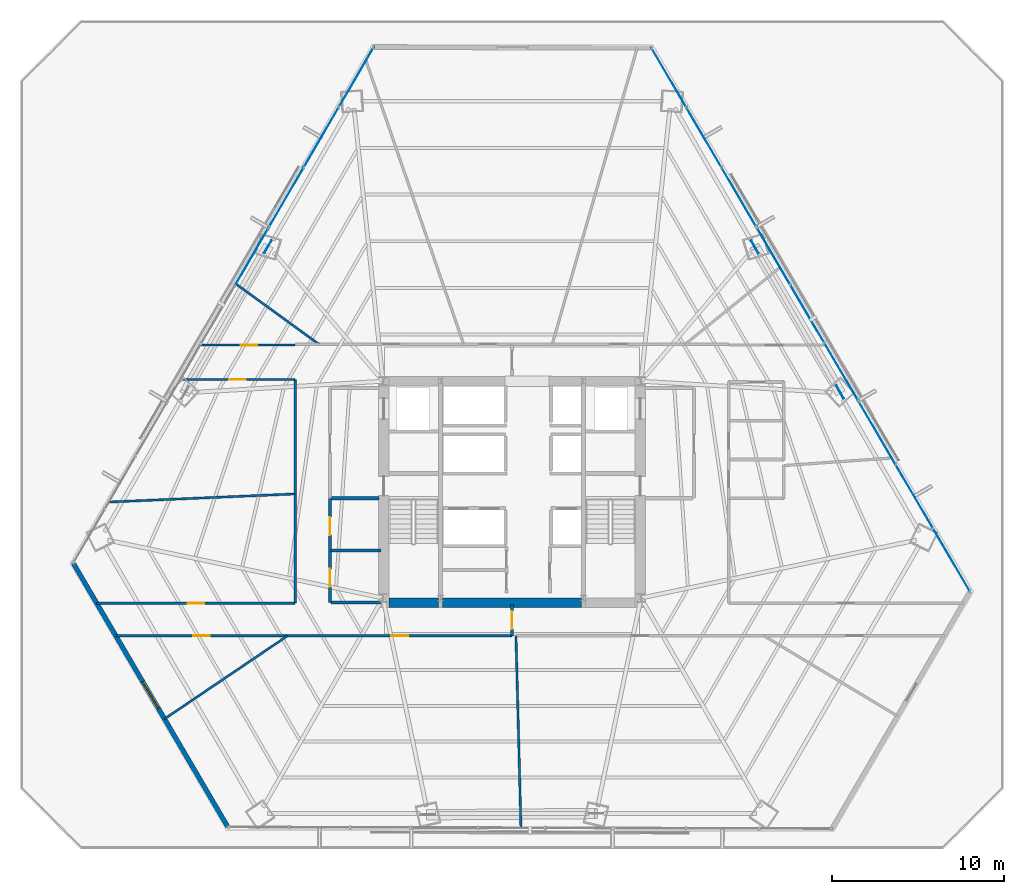
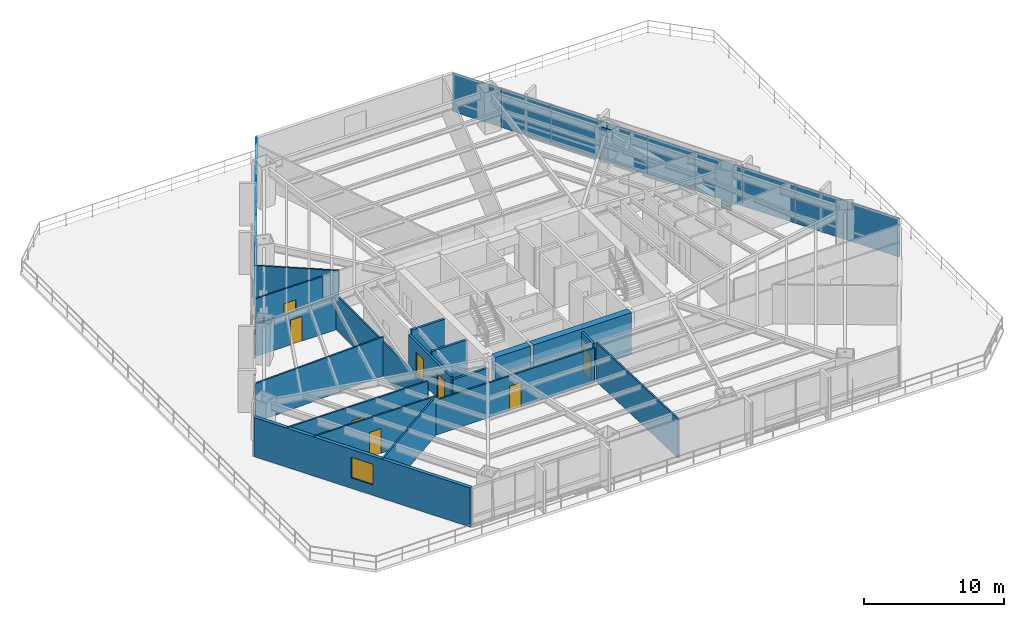
# One storey, part 28 of 35: 19 walls, 16 plates, 8 doors, 1 window, 9 openings, 5 elements without a shape of their own.
"""IFC4 building model written with IfcOpenShell, lengths in metres."""

from ifc_helpers import new_model, si_unit, direction, frame, frame_2d, origin, origin_2d, place, context, subcontext, project, spatial, rectangle, extrude, source, transform, mapped, material, layer, layer_set, type_object, type_shapes, element, fill, aggregate, save


model = new_model("IFC4")

# Units and contexts
model_context = context("Model", 3, precision=1e-05, world=origin(), true_north=direction((0.0, 1.0)))
body_context = subcontext(model_context, "Body", "Model", "MODEL_VIEW")
ifc_project = project(units=[si_unit("LENGTHUNIT", "METRE"), si_unit("AREAUNIT", "SQUARE_METRE"), si_unit("VOLUMEUNIT", "CUBIC_METRE"), si_unit("PLANEANGLEUNIT", "RADIAN"), si_unit("MASSUNIT", "GRAM", prefix="KILO")], contexts=[model_context])

# Site, building, storey
site_placement = place(None, origin())
site = spatial("IfcSite", under=ifc_project, at=site_placement, CompositionType="ELEMENT")
building_placement = place(site_placement, origin())
building = spatial("IfcBuilding", under=site, at=building_placement, Name="Caelisora Broadcast Tower", CompositionType="ELEMENT")
storey_placement = place(building_placement, frame((0.0, 0.0, 27.60009765625)))
storey = spatial("IfcBuildingStorey", under=building, at=storey_placement, Name="L06", CompositionType="ELEMENT", Elevation=27.60009765625)

# Plates
ifc_material_1 = material(Name="Steel Grade 350 L15 (AS/NZS 3678)", Category="steel")
ifc_layer_1 = layer(ifc_material_1, 0.050048828125, Name="Steel Grade 350 L15 (AS/NZS 3678)")
ifc_layer_set_1 = layer_set([ifc_layer_1], Name="Steel Grade 350 L15 (AS/NZS 3678)")
plate_type_1 = type_object("IfcPlateType", Name="GP03", PredefinedType="USERDEFINED", material=ifc_layer_set_1)
shared_shape_1 = source(origin(), body_context, "Body", "SweptSolid", [
    extrude(rectangle(XDim=0.85009765625, YDim=0.050048828125, at=origin_2d()), origin(), (0.0, 0.0, 1.0), 0.699951171875),
])
type_shapes(plate_type_1, [shared_shape_1])
for number, where, z_axis, x_axis, name in (
    (1, (23.81103515625, 37.823974609375, -0.22998046875), (0.0, 0.0, 1.0), (-0.5, -0.866025403784, 0.0), "L06 gusset plate GP03 (ND-L06-C02B)"),
    (2, (57.06640625, 29.3759765625, -0.22998046875), (0.0, 0.0, 1.0), (-0.5, 0.866025403784, 0.0), "L06 gusset plate GP03 (ND-L06-C10B)"),
    (3, (52.1181640625, 37.802001953125, 2.72998046875), (0.0, 0.0, 1.0), (-0.5, 0.866025403784, 0.0), "L06 gusset plate GP03 (ND-L06-C11T)"),
):
    element("IfcPlate", number, at=place(storey_placement, frame(where, z_axis=z_axis, x_axis=x_axis)), inside=storey, type_object=plate_type_1, Name=name, ObjectType="GUSSET PLATE", PredefinedType="USERDEFINED", context=body_context, shape_type="MappedRepresentation", body=[
        mapped(shared_shape_1, transform((0.0, 0.0, 0.0), scale=1.0)),
    ])

# Curtain wall, plates
ifc_material_2 = material(Name="Unitised Aluminium and Low-E Glass Curtain Wall", Category="glass")
curtain_wall_type_1 = type_object("IfcCurtainWallType", Name="CW-Z1", PredefinedType="NOTDEFINED", material=ifc_material_2)
curtain_wall_1_placement = place(storey_placement, origin())
curtain_wall_1 = element("IfcCurtainWall", 4, at=curtain_wall_1_placement, inside=storey, type_object=curtain_wall_type_1, Name="L06 curtain wall CW-Z1", PredefinedType="NOTDEFINED")
ifc_material_3 = material(Name="Double Glazed Low-E Argon IGU", Category="glass")
ifc_layer_2 = layer(ifc_material_3, 0.035888671875, Name="Double Glazed Low-E Argon IGU")
ifc_layer_set_2 = layer_set([ifc_layer_2], Name="Double Glazed Low-E Argon IGU")
plate_type_2 = type_object("IfcPlateType", Name="CWP-02", PredefinedType="CURTAIN_PANEL", material=ifc_layer_set_2)
shared_shape_2 = source(origin(), body_context, "Body", "SweptSolid", [
    extrude(rectangle(XDim=4.0224609375, YDim=0.035888671875, at=origin_2d()), origin(), (0.0, 0.0, 1.0), 3.39990234375),
])
plate_1_placement = place(storey_placement, frame((47.125, 47.647705078125, 0.0), z_axis=(0.0, 0.0, 1.0), x_axis=(0.505582083675, -0.862778509623, 0.0)))
plate_1 = element("IfcPlate", 5, at=plate_1_placement, type_object=plate_type_2, Name="L06-CW-B01 glazed panel #1", PredefinedType="CURTAIN_PANEL", context=body_context, shape_type="MappedRepresentation", body=[
    mapped(shared_shape_2, transform((0.0, 0.0, 0.0), scale=1.0)),
])
plate_2_placement = place(storey_placement, frame((49.15869140625, 44.177490234375, 0.0), z_axis=(0.0, 0.0, 1.0), x_axis=(0.505582083675, -0.862778509623, 0.0)))
plate_2 = element("IfcPlate", 6, at=plate_2_placement, type_object=plate_type_2, Name="L06-CW-B01 glazed panel #2", PredefinedType="CURTAIN_PANEL", context=body_context, shape_type="MappedRepresentation", body=[
    mapped(shared_shape_2, transform((0.0, 0.0, 0.0), scale=1.0)),
])
plate_3_placement = place(storey_placement, frame((51.1923828125, 40.70703125, 0.0), z_axis=(0.0, 0.0, 1.0), x_axis=(0.505582083675, -0.862778509623, 0.0)))
plate_3 = element("IfcPlate", 7, at=plate_3_placement, type_object=plate_type_2, Name="L06-CW-B01 glazed panel #3", PredefinedType="CURTAIN_PANEL", context=body_context, shape_type="MappedRepresentation", body=[
    mapped(shared_shape_2, transform((0.0, 0.0, 0.0), scale=1.0)),
])
aggregate(curtain_wall_1, [plate_1, plate_2, plate_3])

ifc_material_4 = material(Name="Unitised Aluminium Insulated Shadow-Box Spandrel Curtain Wall", Category="aluminium")
curtain_wall_type_2 = type_object("IfcCurtainWallType", Name="CW-SP1", PredefinedType="NOTDEFINED", material=ifc_material_4)
curtain_wall_2_placement = place(storey_placement, origin())
curtain_wall_2 = element("IfcCurtainWall", 8, at=curtain_wall_2_placement, inside=storey, type_object=curtain_wall_type_2, Name="L06 curtain wall CW-SP1", PredefinedType="NOTDEFINED")
ifc_material_5 = material(Name="Insulated Terracotta Shadow-Box Spandrel Panel", Category="aluminium")
ifc_layer_3 = layer(ifc_material_5, 0.0439453125, Name="Insulated Terracotta Shadow-Box Spandrel Panel")
ifc_layer_set_3 = layer_set([ifc_layer_3], Name="Insulated Terracotta Shadow-Box Spandrel Panel")
plate_type_3 = type_object("IfcPlateType", Name="CWP-10", PredefinedType="CURTAIN_PANEL", material=ifc_layer_set_3)
shared_shape_3 = source(origin(), body_context, "Body", "SweptSolid", [
    extrude(rectangle(XDim=3.898193359375, YDim=0.0439453125, at=origin_2d()), origin(), (0.0, 0.0, 1.0), 3.39990234375),
])
type_shapes(plate_type_3, [shared_shape_3])
plate_4_placement = place(storey_placement, frame((53.199951171875, 37.281494140625, 0.0), z_axis=(0.0, 0.0, 1.0), x_axis=(0.505582083675, -0.862778509623, 0.0)))
plate_4 = element("IfcPlate", 9, at=plate_4_placement, type_object=plate_type_3, Name="L06-CW-B02 spandrel panel #1", PredefinedType="CURTAIN_PANEL", context=body_context, shape_type="MappedRepresentation", body=[
    mapped(shared_shape_3, transform((0.0, 0.0, 0.0), scale=1.0)),
])
plate_5_placement = place(storey_placement, frame((55.1708984375, 33.918212890625, 0.0), z_axis=(0.0, 0.0, 1.0), x_axis=(0.505582083675, -0.862778509623, 0.0)))
plate_5 = element("IfcPlate", 10, at=plate_5_placement, type_object=plate_type_3, Name="L06-CW-B02 spandrel panel #2", PredefinedType="CURTAIN_PANEL", context=body_context, shape_type="MappedRepresentation", body=[
    mapped(shared_shape_3, transform((0.0, 0.0, 0.0), scale=1.0)),
])
plate_6_placement = place(storey_placement, frame((57.141845703125, 30.554931640625, 0.0), z_axis=(0.0, 0.0, 1.0), x_axis=(0.505582083675, -0.862778509623, 0.0)))
plate_6 = element("IfcPlate", 11, at=plate_6_placement, type_object=plate_type_3, Name="L06-CW-B02 spandrel panel #3", PredefinedType="CURTAIN_PANEL", context=body_context, shape_type="MappedRepresentation", body=[
    mapped(shared_shape_3, transform((0.0, 0.0, 0.0), scale=1.0)),
])
aggregate(curtain_wall_2, [plate_4, plate_5, plate_6])

# Curtain wall, plate
curtain_wall_3_placement = place(storey_placement, origin())
curtain_wall_3 = element("IfcCurtainWall", 12, at=curtain_wall_3_placement, inside=storey, type_object=curtain_wall_type_2, Name="L06 curtain wall CW-SP1", PredefinedType="NOTDEFINED")
plate_7_placement = place(storey_placement, frame((22.87158203125, 37.238037109375, 0.0), z_axis=(0.0, 0.0, 1.0), x_axis=(0.503321604797, 0.864099162217, 0.0)))
plate_7 = element("IfcPlate", 13, at=plate_7_placement, type_object=plate_type_3, Name="L06-CW-B10 spandrel panel #3", PredefinedType="CURTAIN_PANEL", context=body_context, shape_type="MappedRepresentation", body=[
    mapped(shared_shape_3, transform((0.0, 0.0, 0.0), scale=1.0)),
])
aggregate(curtain_wall_3, [plate_7])

# Curtain wall, plates
curtain_wall_4_placement = place(storey_placement, origin())
curtain_wall_4 = element("IfcCurtainWall", 14, at=curtain_wall_4_placement, inside=storey, type_object=curtain_wall_type_1, Name="L06 curtain wall CW-Z1", PredefinedType="NOTDEFINED")
shared_shape_4 = source(origin(), body_context, "Body", "SweptSolid", [
    extrude(rectangle(XDim=4.28759765625, YDim=0.035888671875, at=origin_2d()), origin(), (0.0, 0.0, 1.0), 3.39990234375),
])
plate_8_placement = place(storey_placement, frame((59.21630859375, 27.01513671875, 0.0), z_axis=(0.0, 0.0, 1.0), x_axis=(0.505582083675, -0.862778509623, 0.0)))
plate_8 = element("IfcPlate", 15, at=plate_8_placement, type_object=plate_type_2, Name="L06-CW-B03 glazed panel #1", PredefinedType="CURTAIN_PANEL", context=body_context, shape_type="MappedRepresentation", body=[
    mapped(shared_shape_4, transform((0.0, 0.0, 0.0), scale=1.0)),
])
plate_9_placement = place(storey_placement, frame((61.38427734375, 23.31591796875, 0.0), z_axis=(0.0, 0.0, 1.0), x_axis=(0.505582083675, -0.862778509623, 0.0)))
plate_9 = element("IfcPlate", 16, at=plate_9_placement, type_object=plate_type_2, Name="L06-CW-B03 glazed panel #2", PredefinedType="CURTAIN_PANEL", context=body_context, shape_type="MappedRepresentation", body=[
    mapped(shared_shape_4, transform((0.0, 0.0, 0.0), scale=1.0)),
])
plate_10_placement = place(storey_placement, frame((63.552001953125, 19.61669921875, 0.0), z_axis=(0.0, 0.0, 1.0), x_axis=(0.505582083675, -0.862778509623, 0.0)))
plate_10 = element("IfcPlate", 17, at=plate_10_placement, type_object=plate_type_2, Name="L06-CW-B03 glazed panel #3", PredefinedType="CURTAIN_PANEL", context=body_context, shape_type="MappedRepresentation", body=[
    mapped(shared_shape_4, transform((0.0, 0.0, 0.0), scale=1.0)),
])
aggregate(curtain_wall_4, [plate_8, plate_9, plate_10])

curtain_wall_5_placement = place(storey_placement, origin())
curtain_wall_5 = element("IfcCurtainWall", 18, at=curtain_wall_5_placement, inside=storey, type_object=curtain_wall_type_1, Name="L06 curtain wall CW-Z1", PredefinedType="NOTDEFINED")
shared_shape_5 = source(origin(), body_context, "Body", "SweptSolid", [
    extrude(rectangle(XDim=4.04833984375, YDim=0.035888671875, at=origin_2d()), origin(), (0.0, 0.0, 1.0), 3.39990234375),
])
type_shapes(plate_type_2, [shared_shape_2, shared_shape_4, shared_shape_5])
plate_11_placement = place(storey_placement, frame((24.87646484375, 40.68017578125, 0.0), z_axis=(0.0, 0.0, 1.0), x_axis=(0.503321604797, 0.864099162217, 0.0)))
plate_11 = element("IfcPlate", 19, at=plate_11_placement, type_object=plate_type_2, Name="L06-CW-B11 glazed panel #1", PredefinedType="CURTAIN_PANEL", context=body_context, shape_type="MappedRepresentation", body=[
    mapped(shared_shape_5, transform((0.0, 0.0, 0.0), scale=1.0)),
])
plate_12_placement = place(storey_placement, frame((26.913818359375, 44.178466796875, 0.0), z_axis=(0.0, 0.0, 1.0), x_axis=(0.503321604797, 0.864099162217, 0.0)))
plate_12 = element("IfcPlate", 20, at=plate_12_placement, type_object=plate_type_2, Name="L06-CW-B11 glazed panel #2", PredefinedType="CURTAIN_PANEL", context=body_context, shape_type="MappedRepresentation", body=[
    mapped(shared_shape_5, transform((0.0, 0.0, 0.0), scale=1.0)),
])
plate_13_placement = place(storey_placement, frame((28.951416015625, 47.6767578125, 0.0), z_axis=(0.0, 0.0, 1.0), x_axis=(0.503321604797, 0.864099162217, 0.0)))
plate_13 = element("IfcPlate", 21, at=plate_13_placement, type_object=plate_type_2, Name="L06-CW-B11 glazed panel #3", PredefinedType="CURTAIN_PANEL", context=body_context, shape_type="MappedRepresentation", body=[
    mapped(shared_shape_5, transform((0.0, 0.0, 0.0), scale=1.0)),
])
aggregate(curtain_wall_5, [plate_11, plate_12, plate_13])

# Walls
ifc_material_6 = material(Name="Concrete 65 MPa (AS 3600 S65)", Category="concrete")
ifc_layer_4 = layer(ifc_material_6, 0.550048828125, Name="Concrete 65 MPa (AS 3600 S65)")
ifc_layer_set_4 = layer_set([ifc_layer_4], Name="Concrete 65 MPa (AS 3600 S65)")
wall_type_1 = type_object("IfcWallType", Name="CW4", PredefinedType="SHEAR", material=ifc_layer_set_4)
wall_1_placement = place(storey_placement, frame((30.840087890625, 17.125, 0.0), z_axis=(0.0, 0.0, 1.0), x_axis=(1.0, 0.0, 0.0)))
element("IfcWall", 22, at=wall_1_placement, inside=storey, type_object=wall_type_1, Name="L06 core shear wall CW4", PredefinedType="SHEAR", context=body_context, shape_type="SweptSolid", body=[
    extrude(rectangle(XDim=2.89990234375, YDim=0.550048828125, at=frame_2d((1.449951171875, 0.0))), origin(), (0.0, 0.0, 1.0), 3.64990234375),
])
wall_2_placement = place(storey_placement, frame((33.9599609375, 17.125, 0.0), z_axis=(0.0, 0.0, 1.0), x_axis=(1.0, 0.0, 0.0)))
element("IfcWall", 23, at=wall_2_placement, inside=storey, type_object=wall_type_1, Name="L06 core shear wall CW4", PredefinedType="SHEAR", context=body_context, shape_type="SweptSolid", body=[
    extrude(rectangle(XDim=8.080078125, YDim=0.550048828125, at=frame_2d((4.0400390625, 0.0))), origin(), (0.0, 0.0, 1.0), 3.64990234375),
])

# Wall, opening, window
ifc_material_7 = material(Name="Insulated Terracotta Spandrel Wall System", Category="masonry")
ifc_layer_5 = layer(ifc_material_7, 0.280029296875, Name="Insulated Terracotta Spandrel Wall System")
ifc_layer_set_5 = layer_set([ifc_layer_5], Name="Insulated Terracotta Spandrel Wall System")
wall_type_2 = type_object("IfcWallType", Name="EW1", PredefinedType="STANDARD", material=ifc_layer_set_5)
wall_3_placement = place(storey_placement, frame((21.4658203125, 4.10693359375, 0.0), z_axis=(0.0, 0.0, 1.0), x_axis=(-0.505539127034, 0.862803680473, 0.0)))
wall_3 = element("IfcWall", 24, at=wall_3_placement, inside=storey, type_object=wall_type_2, Name="L06 exterior envelope wall EW1", PredefinedType="STANDARD", context=body_context, shape_type="SweptSolid", body=[
    extrude(rectangle(XDim=17.716796875, YDim=0.280029296875, at=frame_2d((8.8583984375, 0.0))), origin(), (0.0, 0.0, 1.0), 3.39990234375),
])
opening_1_placement = place(wall_3_placement, frame((7.9599609375, 0.0, 0.89990234375)))
opening_1 = element("IfcOpeningElement", 25, at=opening_1_placement, cuts=wall_3, Name="Opening W01", PredefinedType="OPENING", context=body_context, shape_type="SweptSolid", body=[
    extrude(rectangle(XDim=1.800048828125, YDim=1.800048828125, at=frame_2d((0.89990234375, 0.89990234375))), frame((0.0, 0.152099609375, 0.0), z_axis=(0.0, -1.0, 0.0), x_axis=(1.0, 0.0, 0.0)), (0.0, 0.0, 1.0), 0.303955078125),
])
ifc_material_8 = material(Name="Double Glazed Terracotta-Framed Vision Window", Category="glass")
window_type = type_object("IfcWindowType", Name="W01", PartitioningType="SINGLE_PANEL", PredefinedType="WINDOW", material=ifc_material_8)
window_placement = place(opening_1_placement, origin())
window = element("IfcWindow", 26, at=window_placement, inside=storey, type_object=window_type, Name="L06 window W01 (L06-WN-CH4)", OverallHeight=1.800048828125, OverallWidth=1.800048828125, PartitioningType="SINGLE_PANEL", PredefinedType="WINDOW", context=body_context, shape_type="SweptSolid", body=[
    extrude(rectangle(XDim=1.800048828125, YDim=1.800048828125, at=frame_2d((0.89990234375, 0.89990234375))), frame((0.0, 0.030029296875, 0.0), z_axis=(0.0, -1.0, 0.0), x_axis=(1.0, 0.0, 0.0)), (0.0, 0.0, 1.0), 0.06005859375),
])
fill(opening_1, window)

# Walls
ifc_material_9 = material(Name="Fire-Rated Gypsum Shaft and Compartment Wall", Category="gypsum")
ifc_layer_6 = layer(ifc_material_9, 0.179931640625, Name="Fire-Rated Gypsum Shaft and Compartment Wall")
ifc_layer_set_6 = layer_set([ifc_layer_6], Name="Fire-Rated Gypsum Shaft and Compartment Wall")
wall_type_3 = type_object("IfcWallType", Name="PW2", PredefinedType="PARTITIONING", material=ifc_layer_set_6)
wall_4_placement = place(storey_placement, frame((27.52001953125, 23.199951171875, 0.0), z_axis=(0.0, 0.0, 1.0), x_axis=(1.0, 0.0, 0.0)))
element("IfcWall", 27, at=wall_4_placement, inside=storey, type_object=wall_type_3, Name="L06 fire compartment wall PW2", PredefinedType="PARTITIONING", context=body_context, shape_type="SweptSolid", body=[
    extrude(rectangle(XDim=2.760009765625, YDim=0.179931640625, at=frame_2d((1.3798828125, 0.0))), origin(), (0.0, 0.0, 1.0), 3.39990234375),
])
wall_5_placement = place(storey_placement, frame((27.47998046875, 20.169921875, 0.0), z_axis=(0.0, 0.0, 1.0), x_axis=(1.0, 0.0, 0.0)))
element("IfcWall", 28, at=wall_5_placement, inside=storey, type_object=wall_type_3, Name="L06 fire compartment wall PW2", PredefinedType="PARTITIONING", context=body_context, shape_type="SweptSolid", body=[
    extrude(rectangle(XDim=2.89990234375, YDim=0.179931640625, at=frame_2d((1.449951171875, 0.0))), origin(), (0.0, 0.0, 1.0), 3.39990234375),
])

# Wall, openings, doors
wall_6_placement = place(storey_placement, frame((27.419921875, 17.14990234375, 0.0), z_axis=(0.0, 0.0, 1.0), x_axis=(0.0, 1.0, 0.0)))
wall_6 = element("IfcWall", 29, at=wall_6_placement, inside=storey, type_object=wall_type_3, Name="L06 fire compartment wall PW2", PredefinedType="PARTITIONING", context=body_context, shape_type="SweptSolid", body=[
    extrude(rectangle(XDim=6.030029296875, YDim=0.179931640625, at=frame_2d((3.01513671875, 0.0))), origin(), (0.0, 0.0, 1.0), 3.0263671875),
])
opening_2_placement = place(wall_6_placement, frame((0.89990234375, 0.0, 0.0)))
opening_2 = element("IfcOpeningElement", 30, at=opening_2_placement, cuts=wall_6, Name="Opening FD02", PredefinedType="OPENING", context=body_context, shape_type="SweptSolid", body=[
    extrude(rectangle(XDim=1.050048828125, YDim=2.14990234375, at=frame_2d((0.52490234375, 1.074951171875))), frame((0.0, 0.10205078125, 0.0), z_axis=(0.0, -1.0, 0.0), x_axis=(1.0, 0.0, 0.0)), (0.0, 0.0, 1.0), 0.203857421875),
])
opening_3_placement = place(wall_6_placement, frame((3.89990234375, 0.0, 0.0)))
opening_3 = element("IfcOpeningElement", 31, at=opening_3_placement, cuts=wall_6, Name="Opening FD02", PredefinedType="OPENING", context=body_context, shape_type="SweptSolid", body=[
    extrude(rectangle(XDim=1.050048828125, YDim=2.14990234375, at=frame_2d((0.52490234375, 1.074951171875))), frame((0.0, 0.10205078125, 0.0), z_axis=(0.0, -1.0, 0.0), x_axis=(1.0, 0.0, 0.0)), (0.0, 0.0, 1.0), 0.203857421875),
])
ifc_material_10 = material(Name="Single-Leaf Steel Fire Lobby Door", Category="steel")
door_type_1 = type_object("IfcDoorType", Name="FD02", OperationType="NOTDEFINED", PredefinedType="DOOR", material=ifc_material_10)
door_1_placement = place(opening_2_placement, origin())
door_1 = element("IfcDoor", 32, at=door_1_placement, inside=storey, type_object=door_type_1, Name="L06 door FD02 (L06-DR-P15D1)", OperationType="SINGLE_SWING_RIGHT", OverallHeight=2.14990234375, OverallWidth=1.050048828125, PredefinedType="DOOR", context=body_context, shape_type="SweptSolid", body=[
    extrude(rectangle(XDim=1.050048828125, YDim=2.14990234375, at=frame_2d((0.52490234375, 1.074951171875))), frame((0.0, 0.02490234375, 0.0), z_axis=(0.0, -1.0, 0.0), x_axis=(1.0, 0.0, 0.0)), (0.0, 0.0, 1.0), 0.050048828125),
])
fill(opening_2, door_1)
door_2_placement = place(opening_3_placement, origin())
door_2 = element("IfcDoor", 33, at=door_2_placement, inside=storey, type_object=door_type_1, Name="L06 door FD02 (L06-DR-P15D2)", OperationType="SINGLE_SWING_LEFT", OverallHeight=2.14990234375, OverallWidth=1.050048828125, PredefinedType="DOOR", context=body_context, shape_type="SweptSolid", body=[
    extrude(rectangle(XDim=1.050048828125, YDim=2.14990234375, at=frame_2d((0.52490234375, 1.074951171875))), frame((0.0, 0.02490234375, 0.0), z_axis=(0.0, -1.0, 0.0), x_axis=(1.0, 0.0, 0.0)), (0.0, 0.0, 1.0), 0.050048828125),
])
fill(opening_3, door_2)

# Wall
wall_7_placement = place(storey_placement, frame((27.47998046875, 17.14990234375, 0.0), z_axis=(0.0, 0.0, 1.0), x_axis=(1.0, 0.0, 0.0)))
element("IfcWall", 34, at=wall_7_placement, inside=storey, type_object=wall_type_3, Name="L06 fire compartment wall PW2", PredefinedType="PARTITIONING", context=body_context, shape_type="SweptSolid", body=[
    extrude(rectangle(XDim=2.89990234375, YDim=0.179931640625, at=frame_2d((1.449951171875, 0.0))), origin(), (0.0, 0.0, 1.0), 2.78271484375),
])

# Wall, opening, door
wall_8_placement = place(storey_placement, frame((38.0, 15.205078125, 0.0), z_axis=(0.0, 0.0, 1.0), x_axis=(0.0, 1.0, 0.0)))
wall_8 = element("IfcWall", 35, at=wall_8_placement, inside=storey, type_object=wall_type_3, Name="L06 fire compartment wall PW2", PredefinedType="PARTITIONING", context=body_context, shape_type="SweptSolid", body=[
    extrude(rectangle(XDim=1.81982421875, YDim=0.179931640625, at=frame_2d((0.909912109375, 0.0))), origin(), (0.0, 0.0, 1.0), 3.39990234375),
])
opening_4_placement = place(wall_8_placement, frame((0.385009765625, 0.0, 0.0)))
opening_4 = element("IfcOpeningElement", 36, at=opening_4_placement, cuts=wall_8, Name="Opening FD02", PredefinedType="OPENING", context=body_context, shape_type="SweptSolid", body=[
    extrude(rectangle(XDim=1.050048828125, YDim=2.14990234375, at=frame_2d((0.52490234375, 1.074951171875))), frame((0.0, 0.10205078125, 0.0), z_axis=(0.0, -1.0, 0.0), x_axis=(1.0, 0.0, 0.0)), (0.0, 0.0, 1.0), 0.203857421875),
])
door_3_placement = place(opening_4_placement, origin())
door_3 = element("IfcDoor", 37, at=door_3_placement, inside=storey, type_object=door_type_1, Name="L06 door FD02 (L06-DR-P54D1)", OperationType="SINGLE_SWING_LEFT", OverallHeight=2.14990234375, OverallWidth=1.050048828125, PredefinedType="DOOR", context=body_context, shape_type="SweptSolid", body=[
    extrude(rectangle(XDim=1.050048828125, YDim=2.14990234375, at=frame_2d((0.52490234375, 1.074951171875))), frame((0.0, 0.02490234375, 0.0), z_axis=(0.0, -1.0, 0.0), x_axis=(1.0, 0.0, 0.0)), (0.0, 0.0, 1.0), 0.050048828125),
])
fill(opening_4, door_3)

ifc_material_11 = material(Name="Acoustic Steel-Stud Plasterboard Partition", Category="gypsum")
ifc_layer_7 = layer(ifc_material_11, 0.1298828125, Name="Acoustic Steel-Stud Plasterboard Partition")
ifc_layer_set_7 = layer_set([ifc_layer_7], Name="Acoustic Steel-Stud Plasterboard Partition")
wall_type_4 = type_object("IfcWallType", Name="PW3", PredefinedType="PARTITIONING", material=ifc_layer_set_7)
wall_9_placement = place(storey_placement, frame((24.955078125, 15.199951171875, 0.0), z_axis=(0.0, 0.0, 1.0), x_axis=(1.0, 0.0, 0.0)))
wall_9 = element("IfcWall", 38, at=wall_9_placement, inside=storey, type_object=wall_type_4, Name="L06 internal partition PW3", PredefinedType="PARTITIONING", context=body_context, shape_type="SweptSolid", body=[
    extrude(rectangle(XDim=13.0400390625, YDim=0.1298828125, at=frame_2d((6.52001953125, 0.0))), origin(), (0.0, 0.0, 1.0), 3.0263671875),
])
opening_5_placement = place(wall_9_placement, frame((6.0400390625, 0.0, 0.0)))
opening_5 = element("IfcOpeningElement", 39, at=opening_5_placement, cuts=wall_9, Name="Opening D01", PredefinedType="OPENING", context=body_context, shape_type="SweptSolid", body=[
    extrude(rectangle(XDim=0.9599609375, YDim=2.14990234375, at=frame_2d((0.47998046875, 1.074951171875))), frame((0.0, 0.076904296875, 0.0), z_axis=(0.0, -1.0, 0.0), x_axis=(1.0, 0.0, 0.0)), (0.0, 0.0, 1.0), 0.15380859375),
])
ifc_material_12 = material(Name="Solid-Core Timber Acoustic Office Door", Category="wood")
door_type_2 = type_object("IfcDoorType", Name="D01", OperationType="NOTDEFINED", PredefinedType="DOOR", material=ifc_material_12)
door_4_placement = place(opening_5_placement, origin())
door_4 = element("IfcDoor", 40, at=door_4_placement, inside=storey, type_object=door_type_2, Name="L06 door D01 (L06-DR-P31D1)", OperationType="SINGLE_SWING_LEFT", OverallHeight=2.14990234375, OverallWidth=0.9599609375, PredefinedType="DOOR", context=body_context, shape_type="SweptSolid", body=[
    extrude(rectangle(XDim=0.9599609375, YDim=2.14990234375, at=frame_2d((0.47998046875, 1.074951171875))), frame((0.0, 0.02490234375, 0.0), z_axis=(0.0, -1.0, 0.0), x_axis=(1.0, 0.0, 0.0)), (0.0, 0.0, 1.0), 0.050048828125),
])
fill(opening_5, door_4)

wall_10_placement = place(storey_placement, frame((13.85009765625, 17.10009765625, 0.0), z_axis=(0.0, 0.0, 1.0), x_axis=(1.0, 0.0, 0.0)))
wall_10 = element("IfcWall", 41, at=wall_10_placement, inside=storey, type_object=wall_type_4, Name="L06 internal partition PW3", PredefinedType="PARTITIONING", context=body_context, shape_type="SweptSolid", body=[
    extrude(rectangle(XDim=11.544921875, YDim=0.1298828125, at=frame_2d((5.7724609375, 0.0))), origin(), (0.0, 0.0, 1.0), 3.39990234375),
])
opening_6_placement = place(wall_10_placement, frame((5.29296875, 0.0, 0.0)))
opening_6 = element("IfcOpeningElement", 42, at=opening_6_placement, cuts=wall_10, Name="Opening D01", PredefinedType="OPENING", context=body_context, shape_type="SweptSolid", body=[
    extrude(rectangle(XDim=0.9599609375, YDim=2.14990234375, at=frame_2d((0.47998046875, 1.074951171875))), frame((0.0, 0.076904296875, 0.0), z_axis=(0.0, -1.0, 0.0), x_axis=(1.0, 0.0, 0.0)), (0.0, 0.0, 1.0), 0.15380859375),
])
door_5_placement = place(opening_6_placement, origin())
door_5 = element("IfcDoor", 43, at=door_5_placement, inside=storey, type_object=door_type_2, Name="L06 door D01 (L06-DR-P32D1)", OperationType="SINGLE_SWING_RIGHT", OverallHeight=2.14990234375, OverallWidth=0.9599609375, PredefinedType="DOOR", context=body_context, shape_type="SweptSolid", body=[
    extrude(rectangle(XDim=0.9599609375, YDim=2.14990234375, at=frame_2d((0.47998046875, 1.074951171875))), frame((0.0, 0.02490234375, 0.0), z_axis=(0.0, -1.0, 0.0), x_axis=(1.0, 0.0, 0.0)), (0.0, 0.0, 1.0), 0.050048828125),
])
fill(opening_6, door_5)

# Walls
wall_11_placement = place(storey_placement, frame((38.22998046875, 15.195068359375, 0.0), z_axis=(0.0, 0.0, 1.0), x_axis=(0.02596867304, -0.999662757144, 0.0)))
element("IfcWall", 44, at=wall_11_placement, inside=storey, type_object=wall_type_4, Name="L06 internal partition PW3", PredefinedType="PARTITIONING", context=body_context, shape_type="SweptSolid", body=[
    extrude(rectangle(XDim=11.168701171875, YDim=0.1298828125, at=frame_2d((5.58447265625, 0.0))), origin(), (0.0, 0.0, 1.0), 3.39990234375),
])
wall_12_placement = place(storey_placement, frame((14.570068359375, 22.97998046875, 0.0), z_axis=(0.0, 0.0, 1.0), x_axis=(0.999058877274, 0.043374643965, 0.0)))
element("IfcWall", 45, at=wall_12_placement, inside=storey, type_object=wall_type_4, Name="L06 internal partition PW3", PredefinedType="PARTITIONING", context=body_context, shape_type="SweptSolid", body=[
    extrude(rectangle(XDim=10.835205078125, YDim=0.1298828125, at=frame_2d((5.41748046875, 0.0))), origin(), (0.0, 0.0, 1.0), 3.39990234375),
])

# Wall, opening, door
wall_13_placement = place(storey_placement, frame((14.969970703125, 15.199951171875, 0.0), z_axis=(0.0, 0.0, 1.0), x_axis=(1.0, 0.0, 0.0)))
wall_13 = element("IfcWall", 46, at=wall_13_placement, inside=storey, type_object=wall_type_4, Name="L06 internal partition PW3", PredefinedType="PARTITIONING", context=body_context, shape_type="SweptSolid", body=[
    extrude(rectangle(XDim=9.97509765625, YDim=0.1298828125, at=frame_2d((4.987548828125, 0.0))), origin(), (0.0, 0.0, 1.0), 3.39990234375),
])
opening_7_placement = place(wall_13_placement, frame((4.508056640625, 0.0, 0.0)))
opening_7 = element("IfcOpeningElement", 47, at=opening_7_placement, cuts=wall_13, Name="Opening D01", PredefinedType="OPENING", context=body_context, shape_type="SweptSolid", body=[
    extrude(rectangle(XDim=0.9599609375, YDim=2.14990234375, at=frame_2d((0.47998046875, 1.074951171875))), frame((0.0, 0.076904296875, 0.0), z_axis=(0.0, -1.0, 0.0), x_axis=(1.0, 0.0, 0.0)), (0.0, 0.0, 1.0), 0.15380859375),
])
door_6_placement = place(opening_7_placement, origin())
door_6 = element("IfcDoor", 48, at=door_6_placement, inside=storey, type_object=door_type_2, Name="L06 door D01 (L06-DR-P36D1)", OperationType="SINGLE_SWING_RIGHT", OverallHeight=2.14990234375, OverallWidth=0.9599609375, PredefinedType="DOOR", context=body_context, shape_type="SweptSolid", body=[
    extrude(rectangle(XDim=0.9599609375, YDim=2.14990234375, at=frame_2d((0.47998046875, 1.074951171875))), frame((0.0, 0.02490234375, 0.0), z_axis=(0.0, -1.0, 0.0), x_axis=(1.0, 0.0, 0.0)), (0.0, 0.0, 1.0), 0.050048828125),
])
fill(opening_7, door_6)

# Wall
wall_14_placement = place(storey_placement, frame((17.800048828125, 10.3701171875, 0.0), z_axis=(0.0, 0.0, 1.0), x_axis=(0.828668115277, 0.559740256479, 0.0)))
element("IfcWall", 49, at=wall_14_placement, inside=storey, type_object=wall_type_4, Name="L06 internal partition PW3", PredefinedType="PARTITIONING", context=body_context, shape_type="SweptSolid", body=[
    extrude(rectangle(XDim=8.62353515625, YDim=0.1298828125, at=frame_2d((4.311767578125, 0.0))), origin(), (0.0, 0.0, 1.0), 3.39990234375),
])

# Wall, opening, door
wall_15_placement = place(storey_placement, frame((25.39501953125, 30.10009765625, 0.0), z_axis=(0.0, 0.0, 1.0), x_axis=(-1.0, 0.0, 0.0)))
wall_15 = element("IfcWall", 50, at=wall_15_placement, inside=storey, type_object=wall_type_4, Name="L06 internal partition PW3", PredefinedType="PARTITIONING", context=body_context, shape_type="SweptSolid", body=[
    extrude(rectangle(XDim=6.68505859375, YDim=0.1298828125, at=frame_2d((3.342529296875, 0.0))), origin(), (0.0, 0.0, 1.0), 2.78271484375),
])
opening_8_placement = place(wall_15_placement, frame((2.862060546875, 0.0, 0.0)))
opening_8 = element("IfcOpeningElement", 51, at=opening_8_placement, cuts=wall_15, Name="Opening D01", PredefinedType="OPENING", context=body_context, shape_type="SweptSolid", body=[
    extrude(rectangle(XDim=0.9599609375, YDim=2.14990234375, at=frame_2d((0.47998046875, 1.074951171875))), frame((0.0, 0.076904296875, 0.0), z_axis=(0.0, -1.0, 0.0), x_axis=(1.0, 0.0, 0.0)), (0.0, 0.0, 1.0), 0.15380859375),
])
door_7_placement = place(opening_8_placement, origin())
door_7 = element("IfcDoor", 52, at=door_7_placement, inside=storey, type_object=door_type_2, Name="L06 door D01 (L06-DR-P43D1)", OperationType="SINGLE_SWING_LEFT", OverallHeight=2.14990234375, OverallWidth=0.9599609375, PredefinedType="DOOR", context=body_context, shape_type="SweptSolid", body=[
    extrude(rectangle(XDim=0.9599609375, YDim=2.14990234375, at=frame_2d((0.47998046875, 1.074951171875))), frame((0.0, 0.02490234375, 0.0), z_axis=(0.0, -1.0, 0.0), x_axis=(1.0, 0.0, 0.0)), (0.0, 0.0, 1.0), 0.050048828125),
])
fill(opening_8, door_7)

# Walls
wall_16_placement = place(storey_placement, frame((25.39990234375, 23.455078125, 0.0), z_axis=(0.0, 0.0, 1.0), x_axis=(0.0, 1.0, 0.0)))
element("IfcWall", 53, at=wall_16_placement, inside=storey, type_object=wall_type_4, Name="L06 internal partition PW3", PredefinedType="PARTITIONING", context=body_context, shape_type="SweptSolid", body=[
    extrude(rectangle(XDim=6.639892578125, YDim=0.1298828125, at=frame_2d((3.31982421875, 0.0))), origin(), (0.0, 0.0, 1.0), 3.0263671875),
])
wall_17_placement = place(storey_placement, frame((25.39990234375, 17.10498046875, 0.0), z_axis=(0.0, 0.0, 1.0), x_axis=(0.0, 1.0, 0.0)))
element("IfcWall", 54, at=wall_17_placement, inside=storey, type_object=wall_type_4, Name="L06 internal partition PW3", PredefinedType="PARTITIONING", context=body_context, shape_type="SweptSolid", body=[
    extrude(rectangle(XDim=6.340087890625, YDim=0.1298828125, at=frame_2d((3.169921875, 0.0))), origin(), (0.0, 0.0, 1.0), 3.0263671875),
])
wall_18_placement = place(storey_placement, frame((21.949951171875, 35.659912109375, 0.0), z_axis=(0.0, 0.0, 1.0), x_axis=(0.808969626328, -0.587850443293, 0.0)))
element("IfcWall", 55, at=wall_18_placement, inside=storey, type_object=wall_type_4, Name="L06 internal partition PW3", PredefinedType="PARTITIONING", context=body_context, shape_type="SweptSolid", body=[
    extrude(rectangle(XDim=5.965576171875, YDim=0.1298828125, at=frame_2d((2.98291015625, 0.0))), origin(), (0.0, 0.0, 1.0), 3.39990234375),
])

# Wall, opening, door
wall_19_placement = place(storey_placement, frame((19.8798828125, 32.10009765625, 0.0), z_axis=(0.0, 0.0, 1.0), x_axis=(1.0, 0.0, 0.0)))
wall_19 = element("IfcWall", 56, at=wall_19_placement, inside=storey, type_object=wall_type_4, Name="L06 internal partition PW3", PredefinedType="PARTITIONING", context=body_context, shape_type="SweptSolid", body=[
    extrude(rectangle(XDim=5.51513671875, YDim=0.1298828125, at=frame_2d((2.757568359375, 0.0))), origin(), (0.0, 0.0, 1.0), 3.39990234375),
])
opening_9_placement = place(wall_19_placement, frame((2.340087890625, 0.0, 0.0)))
opening_9 = element("IfcOpeningElement", 57, at=opening_9_placement, cuts=wall_19, Name="Opening D01", PredefinedType="OPENING", context=body_context, shape_type="SweptSolid", body=[
    extrude(rectangle(XDim=0.9599609375, YDim=2.14990234375, at=frame_2d((0.47998046875, 1.074951171875))), frame((0.0, 0.076904296875, 0.0), z_axis=(0.0, -1.0, 0.0), x_axis=(1.0, 0.0, 0.0)), (0.0, 0.0, 1.0), 0.15380859375),
])
door_8_placement = place(opening_9_placement, origin())
door_8 = element("IfcDoor", 58, at=door_8_placement, inside=storey, type_object=door_type_2, Name="L06 door D01 (L06-DR-P50D1)", OperationType="SINGLE_SWING_LEFT", OverallHeight=2.14990234375, OverallWidth=0.9599609375, PredefinedType="DOOR", context=body_context, shape_type="SweptSolid", body=[
    extrude(rectangle(XDim=0.9599609375, YDim=2.14990234375, at=frame_2d((0.47998046875, 1.074951171875))), frame((0.0, 0.02490234375, 0.0), z_axis=(0.0, -1.0, 0.0), x_axis=(1.0, 0.0, 0.0)), (0.0, 0.0, 1.0), 0.050048828125),
])
fill(opening_9, door_8)

save(model, "model.ifc")
